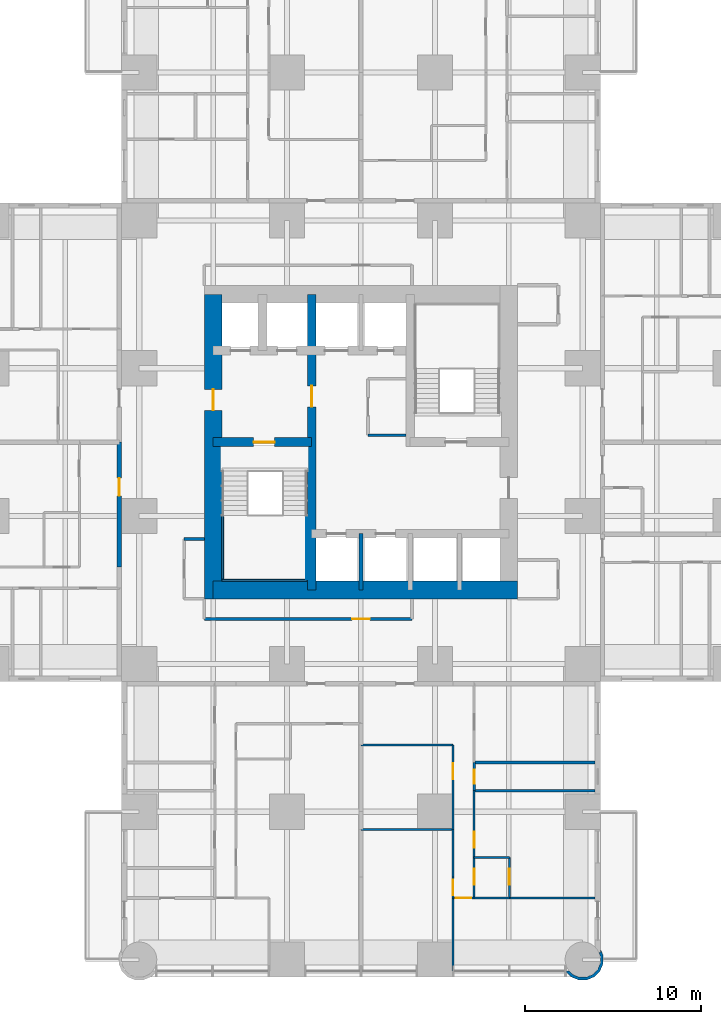
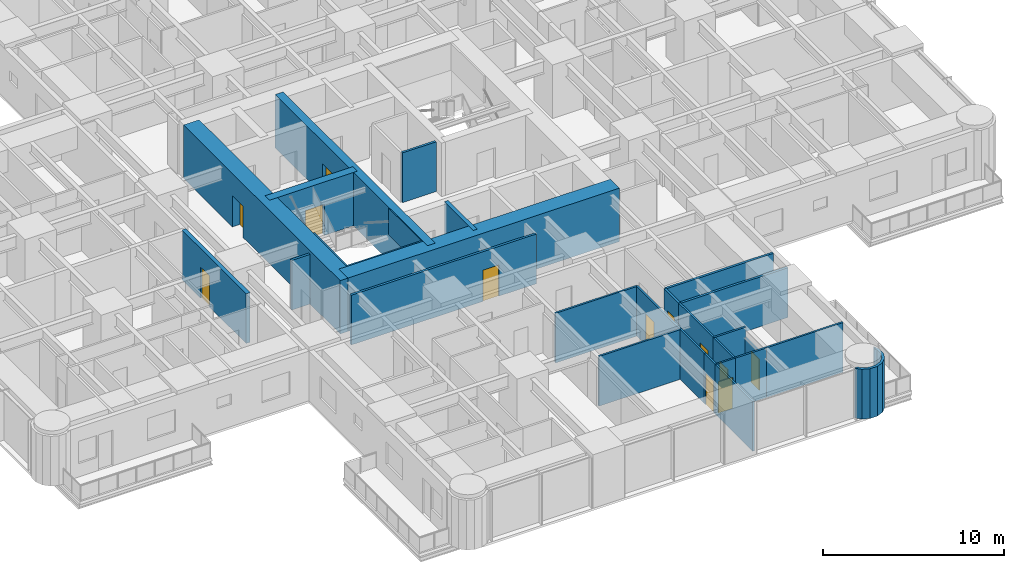
# One storey, part 9 of 17: 29 walls, 12 doors, 12 openings.
"""IFC4 building model written with IfcOpenShell, lengths in metres."""

from ifc_helpers import new_model, si_unit, direction, frame, frame_2d, origin, place, context, subcontext, project, spatial, polyline, rectangle, outline, extrude, material, layer, layer_set, type_object, element, fill, save


model = new_model("IFC4")

# Units and contexts
model_context = context("Model", 3, precision=1e-05, world=origin(), true_north=direction((0.0, 1.0)))
body_context = subcontext(model_context, "Body", "Model", "MODEL_VIEW")
ifc_project = project(units=[si_unit("LENGTHUNIT", "METRE"), si_unit("AREAUNIT", "SQUARE_METRE"), si_unit("VOLUMEUNIT", "CUBIC_METRE"), si_unit("PLANEANGLEUNIT", "RADIAN"), si_unit("MASSUNIT", "GRAM", prefix="KILO")], contexts=[model_context])

# Site, building, storey
site_placement = place(None, origin())
site = spatial("IfcSite", under=ifc_project, at=site_placement, CompositionType="ELEMENT")
building_placement = place(site_placement, origin())
building = spatial("IfcBuilding", under=site, at=building_placement, Name="Torre Alcanfor", CompositionType="ELEMENT")
storey_placement = place(building_placement, frame((0.0, 0.0, 99.300048828125)))
storey = spatial("IfcBuildingStorey", under=building, at=storey_placement, Name="L25", CompositionType="ELEMENT", Elevation=99.300048828125)

# Wall, opening, door
ifc_material_1 = material(Name="Concrete block masonry, hollow blocks NMX-C-404 9 MPa", Category="masonry")
ifc_layer_1 = layer(ifc_material_1, 0.25)
ifc_layer_set_1 = layer_set([ifc_layer_1], Name="Apartment entrance wall 250 EI 60")
wall_type_1 = type_object("IfcWallType", Name="Apartment entrance wall 250 EI 60", PredefinedType="PARTITIONING", material=ifc_layer_set_1)
wall_1_placement = place(storey_placement, frame((15.675048828125, 22.300048828125, 0.0), z_axis=(0.0, 0.0, 1.0), x_axis=(0.0, 1.0, 0.0)))
wall_1 = element("IfcWall", 1, at=wall_1_placement, inside=storey, type_object=wall_type_1, Name="Partition L25-CORR / L25-W1-ZAG", PredefinedType="PARTITIONING", context=body_context, shape_type="SweptSolid", body=[
    extrude(rectangle(XDim=7.099853515625, YDim=0.25, at=frame_2d((3.5498046875, 0.0))), origin(), (0.0, 0.0, 1.0), 3.349853515625),
])
opening_1_placement = place(wall_1_placement, frame((4.050048828125, 0.0, 0.0)))
opening_1 = element("IfcOpeningElement", 2, at=opening_1_placement, cuts=wall_1, Name="Opening D-A1", PredefinedType="OPENING", context=body_context, shape_type="SweptSolid", body=[
    extrude(rectangle(XDim=1.0, YDim=2.10009765625, at=frame_2d((0.5, 1.050048828125))), frame((0.0, 0.135009765625, 0.0), z_axis=(0.0, -1.0, 0.0), x_axis=(1.0, 0.0, 0.0)), (0.0, 0.0, 1.0), 0.27001953125),
])
ifc_material_2 = material(Name="Galvanised steel sheet ASTM A653", Category="steel")
door_type_1 = type_object("IfcDoorType", Name="Apartment entrance door FD60 1000x2100", OperationType="SINGLE_SWING_LEFT", PredefinedType="DOOR", material=ifc_material_2)
door_1_placement = place(opening_1_placement, origin())
door_1 = element("IfcDoor", 3, at=door_1_placement, inside=storey, type_object=door_type_1, Name="Apartment entrance L25-W1", OperationType="SINGLE_SWING_RIGHT", OverallHeight=2.10009765625, OverallWidth=1.0, PredefinedType="DOOR", context=body_context, shape_type="SweptSolid", body=[
    extrude(rectangle(XDim=1.0, YDim=2.10009765625, at=frame_2d((0.5, 1.050048828125))), frame((0.0, 0.02490234375, 0.0), z_axis=(0.0, -1.0, 0.0), x_axis=(1.0, 0.0, 0.0)), (0.0, 0.0, 1.0), 0.050048828125),
])
fill(opening_1, door_1)

# Walls
ifc_material_3 = material(Name="Gypsum board on steel studs", Category="steel")
ifc_layer_2 = layer(ifc_material_3, 0.1201171875)
ifc_layer_set_2 = layer_set([ifc_layer_2], Name="Apartment partition 120")
wall_type_2 = type_object("IfcWallType", Name="Apartment partition 120", PredefinedType="PARTITIONING", material=ifc_layer_set_2)
for number, where, z_axis, x_axis, name in (
    (4, (29.39990234375, 12.199951171875, 0.0), (0.0, 0.0, 1.0), (1.0, 0.0, 0.0), "Partition L25-S1-ZAG / L25-S1-FAMILY"),
    (5, (29.39990234375, 7.39990234375, 0.0), (0.0, 0.0, 1.0), (1.0, 0.0, 0.0), "Partition L25-S1-FAMILY / L25-S1-KITCHEN"),
):
    element("IfcWall", number, at=place(storey_placement, frame(where, z_axis=z_axis, x_axis=x_axis)), inside=storey, type_object=wall_type_2, Name=name, PredefinedType="PARTITIONING", context=body_context, shape_type="SweptSolid", body=[
        extrude(rectangle(XDim=5.22900390625, YDim=0.1201171875, at=frame_2d((2.614501953125, 0.0))), origin(), (0.0, 0.0, 1.0), 3.349853515625),
    ])

# Wall, opening, door
wall_2_placement = place(storey_placement, frame((34.62890625, 7.39990234375, 0.0), z_axis=(0.0, 0.0, 1.0), x_axis=(0.0, 1.0, 0.0)))
wall_2 = element("IfcWall", 6, at=wall_2_placement, inside=storey, type_object=wall_type_2, Name="Partition L25-S1-FAMILY / L25-S1-HALL", PredefinedType="PARTITIONING", context=body_context, shape_type="SweptSolid", body=[
    extrude(rectangle(XDim=4.800048828125, YDim=0.1201171875, at=frame_2d((2.39990234375, 0.0))), origin(), (0.0, 0.0, 1.0), 3.349853515625),
])
opening_2_placement = place(wall_2_placement, frame((2.85009765625, 0.0, 0.0)))
opening_2 = element("IfcOpeningElement", 7, at=opening_2_placement, cuts=wall_2, Name="Opening D-R1", PredefinedType="OPENING", context=body_context, shape_type="SweptSolid", body=[
    extrude(rectangle(XDim=0.89990234375, YDim=2.10009765625, at=frame_2d((0.449951171875, 1.050048828125))), frame((0.0, 0.070068359375, 0.0), z_axis=(0.0, -1.0, 0.0), x_axis=(1.0, 0.0, 0.0)), (0.0, 0.0, 1.0), 0.14013671875),
])
ifc_material_4 = material(Name="Timber", Category="wood")
door_type_2 = type_object("IfcDoorType", Name="Internal door 900x2100", OperationType="SINGLE_SWING_LEFT", PredefinedType="DOOR", material=ifc_material_4)
door_2_placement = place(opening_2_placement, origin())
door_2 = element("IfcDoor", 8, at=door_2_placement, inside=storey, type_object=door_type_2, Name="Door L25-S1 family", OperationType="SINGLE_SWING_RIGHT", OverallHeight=2.10009765625, OverallWidth=0.89990234375, PredefinedType="DOOR", context=body_context, shape_type="SweptSolid", body=[
    extrude(rectangle(XDim=0.89990234375, YDim=2.10009765625, at=frame_2d((0.449951171875, 1.050048828125))), frame((0.0, 0.02490234375, 0.0), z_axis=(0.0, -1.0, 0.0), x_axis=(1.0, 0.0, 0.0)), (0.0, 0.0, 1.0), 0.050048828125),
])
fill(opening_2, door_2)

# Wall
wall_3_placement = place(storey_placement, frame((34.62890625, 4.699951171875, 0.0), z_axis=(0.0, 0.0, 1.0), x_axis=(0.0, 1.0, 0.0)))
element("IfcWall", 9, at=wall_3_placement, inside=storey, type_object=wall_type_2, Name="Partition L25-S1-KITCHEN / L25-S1-HALL", PredefinedType="PARTITIONING", context=body_context, shape_type="SweptSolid", body=[
    extrude(rectangle(XDim=2.699951171875, YDim=0.1201171875, at=frame_2d((1.35009765625, 0.0))), origin(), (0.0, 0.0, 1.0), 3.349853515625),
])

# Wall, opening, door
wall_4_placement = place(storey_placement, frame((34.62890625, 3.5, 0.0), z_axis=(0.0, 0.0, 1.0), x_axis=(0.0, 1.0, 0.0)))
wall_4 = element("IfcWall", 10, at=wall_4_placement, inside=storey, type_object=wall_type_2, Name="Partition L25-S1-LIVING / L25-S1-HALL", PredefinedType="PARTITIONING", context=body_context, shape_type="SweptSolid", body=[
    extrude(rectangle(XDim=1.199951171875, YDim=0.1201171875, at=frame_2d((0.60009765625, 0.0))), origin(), (0.0, 0.0, 1.0), 3.349853515625),
])
opening_3_placement = place(wall_4_placement, frame((0.14990234375, 0.0, 0.0)))
opening_3 = element("IfcOpeningElement", 11, at=opening_3_placement, cuts=wall_4, Name="Opening D-R1", PredefinedType="OPENING", context=body_context, shape_type="SweptSolid", body=[
    extrude(rectangle(XDim=0.89990234375, YDim=2.10009765625, at=frame_2d((0.449951171875, 1.050048828125))), frame((0.0, 0.070068359375, 0.0), z_axis=(0.0, -1.0, 0.0), x_axis=(1.0, 0.0, 0.0)), (0.0, 0.0, 1.0), 0.14013671875),
])
door_3_placement = place(opening_3_placement, origin())
door_3 = element("IfcDoor", 12, at=door_3_placement, inside=storey, type_object=door_type_2, Name="Door L25-S1 living", OperationType="SINGLE_SWING_RIGHT", OverallHeight=2.10009765625, OverallWidth=0.89990234375, PredefinedType="DOOR", context=body_context, shape_type="SweptSolid", body=[
    extrude(rectangle(XDim=0.89990234375, YDim=2.10009765625, at=frame_2d((0.449951171875, 1.050048828125))), frame((0.0, 0.02490234375, 0.0), z_axis=(0.0, -1.0, 0.0), x_axis=(1.0, 0.0, 0.0)), (0.0, 0.0, 1.0), 0.050048828125),
])
fill(opening_3, door_3)

# Wall
wall_5_placement = place(storey_placement, frame((34.62890625, -0.64990234375, 0.0), z_axis=(0.0, 0.0, 1.0), x_axis=(0.0, 1.0, 0.0)))
element("IfcWall", 13, at=wall_5_placement, inside=storey, type_object=wall_type_2, Name="Partition L25-S1-LIVING / L25-S1-WGARD", PredefinedType="PARTITIONING", context=body_context, shape_type="SweptSolid", body=[
    extrude(rectangle(XDim=4.14990234375, YDim=0.1201171875, at=frame_2d((2.074951171875, 0.0))), origin(), (0.0, 0.0, 1.0), 3.349853515625),
])

# Wall, opening, door
wall_6_placement = place(storey_placement, frame((35.8291015625, 5.800048828125, 0.0), z_axis=(0.0, 0.0, 1.0), x_axis=(0.0, 1.0, 0.0)))
wall_6 = element("IfcWall", 14, at=wall_6_placement, inside=storey, type_object=wall_type_2, Name="Partition L25-S1-HALL / L25-S1-MASTER", PredefinedType="PARTITIONING", context=body_context, shape_type="SweptSolid", body=[
    extrude(rectangle(XDim=3.800048828125, YDim=0.1201171875, at=frame_2d((1.89990234375, 0.0))), origin(), (0.0, 0.0, 1.0), 3.349853515625),
])
opening_4_placement = place(wall_6_placement, frame((0.550048828125, 0.0, 0.0)))
opening_4 = element("IfcOpeningElement", 15, at=opening_4_placement, cuts=wall_6, Name="Opening D-R1", PredefinedType="OPENING", context=body_context, shape_type="SweptSolid", body=[
    extrude(rectangle(XDim=0.89990234375, YDim=2.10009765625, at=frame_2d((0.449951171875, 1.050048828125))), frame((0.0, 0.070068359375, 0.0), z_axis=(0.0, -1.0, 0.0), x_axis=(1.0, 0.0, 0.0)), (0.0, 0.0, 1.0), 0.14013671875),
])
door_4_placement = place(opening_4_placement, frame((0.89990234375, 0.0, 0.0), z_axis=(0.0, 0.0, 1.0), x_axis=(-1.0, 0.0, 0.0)))
door_4 = element("IfcDoor", 16, at=door_4_placement, inside=storey, type_object=door_type_2, Name="Door L25-S1 master", OperationType="SINGLE_SWING_RIGHT", OverallHeight=2.10009765625, OverallWidth=0.89990234375, PredefinedType="DOOR", context=body_context, shape_type="SweptSolid", body=[
    extrude(rectangle(XDim=0.89990234375, YDim=2.10009765625, at=frame_2d((0.449951171875, 1.050048828125))), frame((0.0, 0.025146484375, 0.0), z_axis=(0.0, -1.0, 0.0), x_axis=(1.0, 0.0, 0.0)), (0.0, 0.0, 1.0), 0.050048828125),
])
fill(opening_4, door_4)

wall_7_placement = place(storey_placement, frame((35.8291015625, 3.5, 0.0), z_axis=(0.0, 0.0, 1.0), x_axis=(0.0, 1.0, 0.0)))
wall_7 = element("IfcWall", 17, at=wall_7_placement, inside=storey, type_object=wall_type_2, Name="Partition L25-S1-HALL / L25-S1-VEST", PredefinedType="PARTITIONING", context=body_context, shape_type="SweptSolid", body=[
    extrude(rectangle(XDim=2.300048828125, YDim=0.1201171875, at=frame_2d((1.14990234375, 0.0))), origin(), (0.0, 0.0, 1.0), 3.349853515625),
])
opening_5_placement = place(wall_7_placement, frame((0.75, 0.0, 0.0)))
opening_5 = element("IfcOpeningElement", 18, at=opening_5_placement, cuts=wall_7, Name="Opening D-R1", PredefinedType="OPENING", context=body_context, shape_type="SweptSolid", body=[
    extrude(rectangle(XDim=0.89990234375, YDim=2.10009765625, at=frame_2d((0.449951171875, 1.050048828125))), frame((0.0, 0.070068359375, 0.0), z_axis=(0.0, -1.0, 0.0), x_axis=(1.0, 0.0, 0.0)), (0.0, 0.0, 1.0), 0.14013671875),
])
door_5_placement = place(opening_5_placement, frame((0.89990234375, 0.0, 0.0), z_axis=(0.0, 0.0, 1.0), x_axis=(-1.0, 0.0, 0.0)))
door_5 = element("IfcDoor", 19, at=door_5_placement, inside=storey, type_object=door_type_2, Name="Door L25-S1 vest", OperationType="SINGLE_SWING_LEFT", OverallHeight=2.10009765625, OverallWidth=0.89990234375, PredefinedType="DOOR", context=body_context, shape_type="SweptSolid", body=[
    extrude(rectangle(XDim=0.89990234375, YDim=2.10009765625, at=frame_2d((0.449951171875, 1.050048828125))), frame((0.0, 0.025146484375, 0.0), z_axis=(0.0, -1.0, 0.0), x_axis=(1.0, 0.0, 0.0)), (0.0, 0.0, 1.0), 0.050048828125),
])
fill(opening_5, door_5)

wall_8_placement = place(storey_placement, frame((34.62890625, 3.5, 0.0), z_axis=(0.0, 0.0, 1.0), x_axis=(1.0, 0.0, 0.0)))
wall_8 = element("IfcWall", 20, at=wall_8_placement, inside=storey, type_object=wall_type_2, Name="Partition L25-S1-HALL / L25-S1-WGARD", PredefinedType="PARTITIONING", context=body_context, shape_type="SweptSolid", body=[
    extrude(rectangle(XDim=1.2001953125, YDim=0.1201171875, at=frame_2d((0.60009765625, 0.0))), origin(), (0.0, 0.0, 1.0), 3.349853515625),
])
opening_6_placement = place(wall_8_placement, frame((0.15087890625, 0.0, 0.0)))
opening_6 = element("IfcOpeningElement", 21, at=opening_6_placement, cuts=wall_8, Name="Opening D-R1", PredefinedType="OPENING", context=body_context, shape_type="SweptSolid", body=[
    extrude(rectangle(XDim=0.89990234375, YDim=2.10009765625, at=frame_2d((0.449951171875, 1.050048828125))), frame((0.0, 0.070068359375, 0.0), z_axis=(0.0, -1.0, 0.0), x_axis=(1.0, 0.0, 0.0)), (0.0, 0.0, 1.0), 0.14013671875),
])
door_6_placement = place(opening_6_placement, frame((0.89990234375, 0.0, 0.0), z_axis=(0.0, 0.0, 1.0), x_axis=(-1.0, 0.0, 0.0)))
door_6 = element("IfcDoor", 22, at=door_6_placement, inside=storey, type_object=door_type_2, Name="Door L25-S1 wgard", OperationType="SINGLE_SWING_RIGHT", OverallHeight=2.10009765625, OverallWidth=0.89990234375, PredefinedType="DOOR", context=body_context, shape_type="SweptSolid", body=[
    extrude(rectangle(XDim=0.89990234375, YDim=2.10009765625, at=frame_2d((0.449951171875, 1.050048828125))), frame((0.0, 0.025146484375, 0.0), z_axis=(0.0, -1.0, 0.0), x_axis=(1.0, 0.0, 0.0)), (0.0, 0.0, 1.0), 0.050048828125),
])
fill(opening_6, door_6)

wall_9_placement = place(storey_placement, frame((37.8291015625, 3.5, 0.0), z_axis=(0.0, 0.0, 1.0), x_axis=(0.0, 1.0, 0.0)))
wall_9 = element("IfcWall", 23, at=wall_9_placement, inside=storey, type_object=wall_type_2, Name="Partition L25-S1-MASTER / L25-S1-VEST", PredefinedType="PARTITIONING", context=body_context, shape_type="SweptSolid", body=[
    extrude(rectangle(XDim=2.300048828125, YDim=0.1201171875, at=frame_2d((1.14990234375, 0.0))), origin(), (0.0, 0.0, 1.0), 2.666748046875),
])
opening_7_placement = place(wall_9_placement, frame((0.75, 0.0, 0.0)))
opening_7 = element("IfcOpeningElement", 24, at=opening_7_placement, cuts=wall_9, Name="Opening D-R1", PredefinedType="OPENING", context=body_context, shape_type="SweptSolid", body=[
    extrude(rectangle(XDim=0.89990234375, YDim=2.10009765625, at=frame_2d((0.449951171875, 1.050048828125))), frame((0.0, 0.070068359375, 0.0), z_axis=(0.0, -1.0, 0.0), x_axis=(1.0, 0.0, 0.0)), (0.0, 0.0, 1.0), 0.14013671875),
])
door_7_placement = place(opening_7_placement, origin())
door_7 = element("IfcDoor", 25, at=door_7_placement, inside=storey, type_object=door_type_2, Name="Door L25-S1 master", OperationType="SINGLE_SWING_RIGHT", OverallHeight=2.10009765625, OverallWidth=0.89990234375, PredefinedType="DOOR", context=body_context, shape_type="SweptSolid", body=[
    extrude(rectangle(XDim=0.89990234375, YDim=2.10009765625, at=frame_2d((0.449951171875, 1.050048828125))), frame((0.0, 0.02490234375, 0.0), z_axis=(0.0, -1.0, 0.0), x_axis=(1.0, 0.0, 0.0)), (0.0, 0.0, 1.0), 0.050048828125),
])
fill(opening_7, door_7)

# Walls
wall_10_placement = place(storey_placement, frame((37.8291015625, 5.800048828125, 0.0), z_axis=(0.0, 0.0, 1.0), x_axis=(-1.0, 0.0, 0.0)))
element("IfcWall", 26, at=wall_10_placement, inside=storey, type_object=wall_type_2, Name="Partition L25-S1-MASTER / L25-S1-VEST", PredefinedType="PARTITIONING", context=body_context, shape_type="SweptSolid", body=[
    extrude(rectangle(XDim=2.0, YDim=0.1201171875, at=frame_2d((1.0, 0.0))), origin(), (0.0, 0.0, 1.0), 3.349853515625),
])
wall_11_placement = place(storey_placement, frame((42.699951171875, 3.5, 0.0), z_axis=(0.0, 0.0, 1.0), x_axis=(-1.0, 0.0, 0.0)))
element("IfcWall", 27, at=wall_11_placement, inside=storey, type_object=wall_type_2, Name="Partition L25-S1-MASTER / L25-S1-WGARD", PredefinedType="PARTITIONING", context=body_context, shape_type="SweptSolid", body=[
    extrude(rectangle(XDim=4.870849609375, YDim=0.1201171875, at=frame_2d((2.435546875, 0.0))), origin(), (0.0, 0.0, 1.0), 3.349853515625),
])
wall_12_placement = place(storey_placement, frame((35.8291015625, 3.5, 0.0), z_axis=(0.0, 0.0, 1.0), x_axis=(1.0, 0.0, 0.0)))
element("IfcWall", 28, at=wall_12_placement, inside=storey, type_object=wall_type_2, Name="Partition L25-S1-VEST / L25-S1-WGARD", PredefinedType="PARTITIONING", context=body_context, shape_type="SweptSolid", body=[
    extrude(rectangle(XDim=2.0, YDim=0.1201171875, at=frame_2d((1.0, 0.0))), origin(), (0.0, 0.0, 1.0), 3.349853515625),
])

# Wall, opening, door
ifc_material_5 = material(Name="Concrete f'c 70 MPa", Category="concrete")
ifc_layer_3 = layer(ifc_material_5, 0.5)
ifc_layer_set_3 = layer_set([ifc_layer_3], Name="Core inner wall 500 f'c70")
wall_type_3 = type_object("IfcWallType", Name="Core inner wall 500 f'c70", PredefinedType="SHEAR", material=ifc_layer_set_3)
wall_13_placement = place(storey_placement, frame((26.60009765625, 21.0, 0.0), z_axis=(0.0, 0.0, 1.0), x_axis=(0.0, 1.0, 0.0)))
wall_13 = element("IfcWall", 29, at=wall_13_placement, inside=storey, type_object=wall_type_3, Name="Core wall X266 L25", PredefinedType="SHEAR", context=body_context, shape_type="SweptSolid", body=[
    extrude(rectangle(XDim=16.800048828125, YDim=0.5, at=frame_2d((8.39990234375, 0.0))), origin(), (0.0, 0.0, 1.0), 3.599853515625),
])
opening_8_placement = place(wall_13_placement, frame((10.39990234375, 0.0, 0.0)))
opening_8 = element("IfcOpeningElement", 30, at=opening_8_placement, cuts=wall_13, Name="Opening D-L1", PredefinedType="OPENING", context=body_context, shape_type="SweptSolid", body=[
    extrude(rectangle(XDim=1.199951171875, YDim=2.10009765625, at=frame_2d((0.60009765625, 1.050048828125))), frame((0.0, 0.260009765625, 0.0), z_axis=(0.0, -1.0, 0.0), x_axis=(1.0, 0.0, 0.0)), (0.0, 0.0, 1.0), 0.52001953125),
])
ifc_material_6 = material(Name="Galvanised steel sheet ASTM A653", Category="steel")
door_type_3 = type_object("IfcDoorType", Name="Lobby door FD120 1200x2100", OperationType="SINGLE_SWING_LEFT", PredefinedType="DOOR", material=ifc_material_6)
door_8_placement = place(opening_8_placement, origin())
door_8 = element("IfcDoor", 31, at=door_8_placement, inside=storey, type_object=door_type_3, Name="Lift lobby door L25", OperationType="SINGLE_SWING_LEFT", OverallHeight=2.10009765625, OverallWidth=1.199951171875, PredefinedType="DOOR", context=body_context, shape_type="SweptSolid", body=[
    extrude(rectangle(XDim=1.199951171875, YDim=2.10009765625, at=frame_2d((0.60009765625, 1.050048828125))), frame((0.0, 0.02490234375, 0.0), z_axis=(0.0, -1.0, 0.0), x_axis=(1.0, 0.0, 0.0)), (0.0, 0.0, 1.0), 0.050048828125),
])
fill(opening_8, door_8)

wall_14_placement = place(storey_placement, frame((21.0, 29.39990234375, 0.0), z_axis=(0.0, 0.0, 1.0), x_axis=(1.0, 0.0, 0.0)))
wall_14 = element("IfcWall", 32, at=wall_14_placement, inside=storey, type_object=wall_type_3, Name="Core wall Y294W L25", PredefinedType="SHEAR", context=body_context, shape_type="SweptSolid", body=[
    extrude(rectangle(XDim=5.60009765625, YDim=0.5, at=frame_2d((2.800048828125, 0.0))), origin(), (0.0, 0.0, 1.0), 3.599853515625),
])
opening_9_placement = place(wall_14_placement, frame((2.300048828125, 0.0, 0.0)))
opening_9 = element("IfcOpeningElement", 33, at=opening_9_placement, cuts=wall_14, Name="Opening D-S2", PredefinedType="OPENING", context=body_context, shape_type="SweptSolid", body=[
    extrude(rectangle(XDim=1.199951171875, YDim=2.10009765625, at=frame_2d((0.60009765625, 1.050048828125))), frame((0.0, 0.260009765625, 0.0), z_axis=(0.0, -1.0, 0.0), x_axis=(1.0, 0.0, 0.0)), (0.0, 0.0, 1.0), 0.52001953125),
])
ifc_material_7 = material(Name="Galvanised steel sheet ASTM A653", Category="steel")
door_type_4 = type_object("IfcDoorType", Name="Stair enclosure door FD120 1200x2100", OperationType="SINGLE_SWING_LEFT", PredefinedType="DOOR", material=ifc_material_7)
door_9_placement = place(opening_9_placement, frame((1.199951171875, 0.0, 0.0), z_axis=(0.0, 0.0, 1.0), x_axis=(-1.0, 0.0, 0.0)))
door_9 = element("IfcDoor", 34, at=door_9_placement, inside=storey, type_object=door_type_4, Name="Stair S1 door L25", OperationType="SINGLE_SWING_LEFT", OverallHeight=2.10009765625, OverallWidth=1.199951171875, PredefinedType="DOOR", context=body_context, shape_type="SweptSolid", body=[
    extrude(rectangle(XDim=1.199951171875, YDim=2.10009765625, at=frame_2d((0.599853515625, 1.050048828125))), frame((0.0, 0.025146484375, 0.0), z_axis=(0.0, -1.0, 0.0), x_axis=(1.0, 0.0, 0.0)), (0.0, 0.0, 1.0), 0.050048828125),
])
fill(opening_9, door_9)

# Walls
ifc_material_8 = material(Name="Concrete f'c 70 MPa", Category="concrete")
ifc_layer_4 = layer(ifc_material_8, 0.25)
ifc_layer_set_4 = layer_set([ifc_layer_4], Name="Core shaft wall 250 f'c70")
wall_type_4 = type_object("IfcWallType", Name="Core shaft wall 250 f'c70", PredefinedType="SHEAR", material=ifc_layer_set_4)
wall_15_placement = place(storey_placement, frame((29.39990234375, 21.0, 0.0), z_axis=(0.0, 0.0, 1.0), x_axis=(0.0, 1.0, 0.0)))
element("IfcWall", 35, at=wall_15_placement, inside=storey, type_object=wall_type_4, Name="Core wall X294S L25", PredefinedType="SHEAR", context=body_context, shape_type="SweptSolid", body=[
    extrude(rectangle(XDim=3.199951171875, YDim=0.25, at=frame_2d((1.60009765625, 0.0))), origin(), (0.0, 0.0, 1.0), 3.599853515625),
])
ifc_material_9 = material(Name="Concrete f'c 70 MPa", Category="concrete")
ifc_layer_5 = layer(ifc_material_9, 1.0)
ifc_layer_set_5 = layer_set([ifc_layer_5], Name="Core wall 1000 f'c70")
wall_type_5 = type_object("IfcWallType", Name="Core wall 1000 f'c70", PredefinedType="SHEAR", material=ifc_layer_set_5)
wall_16_placement = place(storey_placement, frame((21.0, 21.0, 0.0), z_axis=(0.0, 0.0, 1.0), x_axis=(1.0, 0.0, 0.0)))
element("IfcWall", 36, at=wall_16_placement, inside=storey, type_object=wall_type_5, Name="Core wall OUT-S L25", PredefinedType="SHEAR", context=body_context, shape_type="SweptSolid", body=[
    extrude(rectangle(XDim=17.300048828125, YDim=1.0, at=frame_2d((8.64990234375, 0.0))), origin(), (0.0, 0.0, 1.0), 3.599853515625),
])

# Wall, opening, door
wall_17_placement = place(storey_placement, frame((21.0, 37.800048828125, 0.0), z_axis=(0.0, 0.0, 1.0), x_axis=(0.0, -1.0, 0.0)))
wall_17 = element("IfcWall", 37, at=wall_17_placement, inside=storey, type_object=wall_type_5, Name="Core wall OUT-W L25", PredefinedType="SHEAR", context=body_context, shape_type="SweptSolid", body=[
    extrude(rectangle(XDim=17.300048828125, YDim=1.0, at=frame_2d((8.64990234375, 0.0))), origin(), (0.0, 0.0, 1.0), 3.599853515625),
])
opening_10_placement = place(wall_17_placement, frame((5.39990234375, 0.0, 0.0)))
opening_10 = element("IfcOpeningElement", 38, at=opening_10_placement, cuts=wall_17, Name="Opening D-L1", PredefinedType="OPENING", context=body_context, shape_type="SweptSolid", body=[
    extrude(rectangle(XDim=1.199951171875, YDim=2.10009765625, at=frame_2d((0.60009765625, 1.050048828125))), frame((0.0, 0.510009765625, 0.0), z_axis=(0.0, -1.0, 0.0), x_axis=(1.0, 0.0, 0.0)), (0.0, 0.0, 1.0), 1.02001953125),
])
door_10_placement = place(opening_10_placement, origin())
door_10 = element("IfcDoor", 39, at=door_10_placement, inside=storey, type_object=door_type_3, Name="Firefighting lobby door L25", OperationType="SINGLE_SWING_LEFT", OverallHeight=2.10009765625, OverallWidth=1.199951171875, PredefinedType="DOOR", context=body_context, shape_type="SweptSolid", body=[
    extrude(rectangle(XDim=1.199951171875, YDim=2.10009765625, at=frame_2d((0.60009765625, 1.050048828125))), frame((0.0, 0.02490234375, 0.0), z_axis=(0.0, -1.0, 0.0), x_axis=(1.0, 0.0, 0.0)), (0.0, 0.0, 1.0), 0.050048828125),
])
fill(opening_10, door_10)

ifc_material_10 = material(Name="Concrete block masonry, hollow blocks NMX-C-404 9 MPa", Category="masonry")
ifc_layer_6 = layer(ifc_material_10, 0.14990234375)
ifc_layer_set_6 = layer_set([ifc_layer_6], Name="Residents' room partition 150")
wall_type_6 = type_object("IfcWallType", Name="Residents' room partition 150", PredefinedType="PARTITIONING", material=ifc_layer_set_6)
wall_18_placement = place(storey_placement, frame((20.5, 19.35009765625, 0.0), z_axis=(0.0, 0.0, 1.0), x_axis=(1.0, 0.0, 0.0)))
wall_18 = element("IfcWall", 40, at=wall_18_placement, inside=storey, type_object=wall_type_6, Name="Partition L25-CORR / L25-G04", PredefinedType="PARTITIONING", context=body_context, shape_type="SweptSolid", body=[
    extrude(rectangle(XDim=11.800048828125, YDim=0.14990234375, at=frame_2d((5.89990234375, 0.0))), origin(), (0.0, 0.0, 1.0), 3.349853515625),
])
opening_11_placement = place(wall_18_placement, frame((8.39990234375, 0.0, 0.0)))
opening_11 = element("IfcOpeningElement", 41, at=opening_11_placement, cuts=wall_18, Name="Opening D-M1", PredefinedType="OPENING", context=body_context, shape_type="SweptSolid", body=[
    extrude(rectangle(XDim=1.0, YDim=2.10009765625, at=frame_2d((0.5, 1.050048828125))), frame((0.0, 0.0849609375, 0.0), z_axis=(0.0, -1.0, 0.0), x_axis=(1.0, 0.0, 0.0)), (0.0, 0.0, 1.0), 0.169921875),
])
ifc_material_11 = material(Name="Timber", Category="wood")
door_type_5 = type_object("IfcDoorType", Name="Residents' room door 1000x2100", OperationType="SINGLE_SWING_LEFT", PredefinedType="DOOR", material=ifc_material_11)
door_11_placement = place(opening_11_placement, origin())
door_11 = element("IfcDoor", 42, at=door_11_placement, inside=storey, type_object=door_type_5, Name="Door L25-G04 bicycle store", OperationType="SINGLE_SWING_RIGHT", OverallHeight=2.10009765625, OverallWidth=1.0, PredefinedType="DOOR", context=body_context, shape_type="SweptSolid", body=[
    extrude(rectangle(XDim=1.0, YDim=2.10009765625, at=frame_2d((0.5, 1.050048828125))), frame((0.0, 0.02490234375, 0.0), z_axis=(0.0, -1.0, 0.0), x_axis=(1.0, 0.0, 0.0)), (0.0, 0.0, 1.0), 0.050048828125),
])
fill(opening_11, door_11)

# Walls
wall_19_placement = place(storey_placement, frame((20.5, 23.89990234375, 0.0), z_axis=(0.0, 0.0, 1.0), x_axis=(-1.0, 0.0, 0.0)))
element("IfcWall", 43, at=wall_19_placement, inside=storey, type_object=wall_type_6, Name="Partition L25-CORR / L25-G05", PredefinedType="PARTITIONING", context=body_context, shape_type="SweptSolid", body=[
    extrude(rectangle(XDim=1.14990234375, YDim=0.14990234375, at=frame_2d((0.574951171875, 0.0))), origin(), (0.0, 0.0, 1.0), 3.349853515625),
])
wall_20_placement = place(storey_placement, frame((31.949951171875, 29.800048828125, 0.0), z_axis=(0.0, 0.0, 1.0), x_axis=(-1.0, 0.0, 0.0)))
element("IfcWall", 44, at=wall_20_placement, inside=storey, type_object=wall_type_6, Name="Partition L25-LL / L25-CR1", PredefinedType="PARTITIONING", context=body_context, shape_type="SweptSolid", body=[
    extrude(rectangle(XDim=2.14990234375, YDim=0.14990234375, at=frame_2d((1.074951171875, 0.0))), origin(), (0.0, 0.0, 1.0), 3.349853515625),
])
ifc_material_12 = material(Name="Limestone cladding", Category="masonry")
ifc_layer_7 = layer(ifc_material_12, 0.0400390625, Name="Facing")
ifc_material_13 = material(Name="Ventilated air cavity")
ifc_layer_8 = layer(ifc_material_13, 0.02001953125, ventilated=True, Name="Ventilated joint")
ifc_material_14 = material(Name="Mineral wool insulation", Category="insulation")
ifc_layer_9 = layer(ifc_material_14, 0.10009765625, Name="Insulation")
ifc_material_15 = material(Name="Concrete f'c 35 MPa", Category="concrete")
ifc_layer_10 = layer(ifc_material_15, 0.139892578125, Name="Backing")
ifc_layer_set_7 = layer_set([ifc_layer_7, ifc_layer_8, ifc_layer_9, ifc_layer_10], Name="Rounded corner pier stone-clad 300")
wall_type_7 = type_object("IfcWallType", Name="Rounded corner pier stone-clad 300", PredefinedType="SOLIDWALL", material=ifc_layer_set_7)
wall_21_placement = place(storey_placement, frame((41.132476465, -0.643275148, 0.0), z_axis=(0.0, 0.0, 1.0), x_axis=(0.555974394895, -0.831199417842, 0.0)))
element("IfcWall", 45, at=wall_21_placement, inside=storey, type_object=wall_type_7, Name="Corner pier L25 16", PredefinedType="SOLIDWALL", context=body_context, shape_type="SweptSolid", body=[
    extrude(outline(polyline([(0.1712067434741278, 2.1322644498423946), (0.11334706153538965, 2.066401120693992), (0.3385577735146673, 2.0215012284234515), (0.6697387915612579, 1.799980180457634), (0.890651462668792, 1.4689338241478345), (0.9681928875911037, 1.0781138583522962), (0.8904026039051673, 0.6878027388003138), (0.6688815559393502, 0.35662172075372317), (0.33783519962955044, 0.13570904964618913), (0.062161497586597114, 0.08101345182403863), (-0.035839848388476404, -0.06550167993431824), (0.004543131140488994, -0.09251313124877757), (0.39976574819715555, -0.014098189407930367), (0.7834787541996076, 0.24207971489970526), (1.0400196737188443, 0.6256165556521908), (1.1302965571138393, 1.0780686237824806), (1.0404587017229114, 1.5308643727154396), (0.7842807974152758, 1.9145773787178917), (0.4007439566627903, 2.171118298237128), (-0.009197622361300395, 2.2529336971718132), (0.1712067434741278, 2.1322644498423946)])), origin(), (0.0, 0.0, 1.0), 3.349853515625),
])
ifc_material_16 = material(Name="Concrete block masonry, hollow blocks NMX-C-404 9 MPa", Category="masonry")
ifc_layer_11 = layer(ifc_material_16, 0.10009765625)
ifc_layer_set_8 = layer_set([ifc_layer_11], Name="Stair lining 100 EI 120")
wall_type_8 = type_object("IfcWallType", Name="Stair lining 100 EI 120", PredefinedType="PARTITIONING", material=ifc_layer_set_8)
wall_22_placement = place(storey_placement, frame((21.5, 21.550048828125, 1.800048828125), z_axis=(0.0, 0.0, 1.0), x_axis=(1.0, 0.0, 0.0)))
element("IfcWall", 46, at=wall_22_placement, inside=storey, type_object=wall_type_8, Name="Stair lining S1 L25 south end", PredefinedType="PARTITIONING", context=body_context, shape_type="SweptSolid", body=[
    extrude(rectangle(XDim=4.85009765625, YDim=0.10009765625, at=frame_2d((2.425048828125, 0.0))), origin(), (0.0, 0.0, 1.0), 1.7998046875),
])
wall_23_placement = place(storey_placement, frame((21.550048828125, 25.22998046875, 1.800048828125), z_axis=(0.0, 0.0, 1.0), x_axis=(0.0, -1.0, 0.0)))
element("IfcWall", 47, at=wall_23_placement, inside=storey, type_object=wall_type_8, Name="Stair lining S1 L25 west side", PredefinedType="PARTITIONING", context=body_context, shape_type="SweptSolid", body=[
    extrude(rectangle(XDim=3.6298828125, YDim=0.10009765625, at=frame_2d((1.81494140625, 0.0))), origin(), (0.0, 0.0, 1.0), 1.7998046875),
])
ifc_material_17 = material(Name="Calcium silicate board", Category="masonry")
ifc_layer_12 = layer(ifc_material_17, 0.050048828125)
ifc_layer_set_9 = layer_set([ifc_layer_12], Name="Stair lining 50 EI 120")
wall_type_9 = type_object("IfcWallType", Name="Stair lining 50 EI 120", PredefinedType="PARTITIONING", material=ifc_layer_set_9)
wall_24_placement = place(storey_placement, frame((26.324951171875, 25.22998046875, 1.800048828125), z_axis=(0.0, 0.0, 1.0), x_axis=(0.0, -1.0, 0.0)))
element("IfcWall", 48, at=wall_24_placement, inside=storey, type_object=wall_type_9, Name="Stair lining S1 L25 east side", PredefinedType="PARTITIONING", context=body_context, shape_type="SweptSolid", body=[
    extrude(rectangle(XDim=3.6298828125, YDim=0.050048828125, at=frame_2d((1.81494140625, 0.0))), origin(), (0.0, 0.0, 1.0), 1.7998046875),
])

# Wall, opening, door
ifc_material_18 = material(Name="Cement board on steel studs", Category="steel")
ifc_layer_13 = layer(ifc_material_18, 0.14990234375)
ifc_layer_set_10 = layer_set([ifc_layer_13], Name="Wet area partition 150")
wall_type_10 = type_object("IfcWallType", Name="Wet area partition 150", PredefinedType="PARTITIONING", material=ifc_layer_set_10)
wall_25_placement = place(storey_placement, frame((35.8291015625, 9.60009765625, 0.0), z_axis=(0.0, 0.0, 1.0), x_axis=(0.0, 1.0, 0.0)))
wall_25 = element("IfcWall", 49, at=wall_25_placement, inside=storey, type_object=wall_type_10, Name="Partition L25-S1-HALL / L25-S1-BATH1", PredefinedType="PARTITIONING", context=body_context, shape_type="SweptSolid", body=[
    extrude(rectangle(XDim=1.599853515625, YDim=0.14990234375, at=frame_2d((0.7998046875, 0.0))), origin(), (0.0, 0.0, 1.0), 3.349853515625),
])
opening_12_placement = place(wall_25_placement, frame((0.39990234375, 0.0, 0.0)))
opening_12 = element("IfcOpeningElement", 50, at=opening_12_placement, cuts=wall_25, Name="Opening D-R2", PredefinedType="OPENING", context=body_context, shape_type="SweptSolid", body=[
    extrude(rectangle(XDim=0.800048828125, YDim=2.10009765625, at=frame_2d((0.39990234375, 1.050048828125))), frame((0.0, 0.0849609375, 0.0), z_axis=(0.0, -1.0, 0.0), x_axis=(1.0, 0.0, 0.0)), (0.0, 0.0, 1.0), 0.169921875),
])
ifc_material_19 = material(Name="Timber", Category="wood")
door_type_6 = type_object("IfcDoorType", Name="Bathroom door 800x2100", OperationType="SINGLE_SWING_LEFT", PredefinedType="DOOR", material=ifc_material_19)
door_12_placement = place(opening_12_placement, frame((0.800048828125, 0.0, 0.0), z_axis=(0.0, 0.0, 1.0), x_axis=(-1.0, 0.0, 0.0)))
door_12 = element("IfcDoor", 51, at=door_12_placement, inside=storey, type_object=door_type_6, Name="Door L25-S1 bath1", OperationType="SINGLE_SWING_RIGHT", OverallHeight=2.10009765625, OverallWidth=0.800048828125, PredefinedType="DOOR", context=body_context, shape_type="SweptSolid", body=[
    extrude(rectangle(XDim=0.800048828125, YDim=2.10009765625, at=frame_2d((0.400146484375, 1.050048828125))), frame((0.0, 0.025146484375, 0.0), z_axis=(0.0, -1.0, 0.0), x_axis=(1.0, 0.0, 0.0)), (0.0, 0.0, 1.0), 0.050048828125),
])
fill(opening_12, door_12)

# Walls
for number, where, z_axis, x_axis, name in (
    (52, (35.8291015625, 11.199951171875, 0.0), (0.0, 0.0, 1.0), (1.0, 0.0, 0.0), "Partition L25-S1-BED2 / L25-S1-BATH1"),
    (53, (35.8291015625, 9.60009765625, 0.0), (0.0, 0.0, 1.0), (1.0, 0.0, 0.0), "Partition L25-S1-BATH1 / L25-S1-MASTER"),
):
    element("IfcWall", number, at=place(storey_placement, frame(where, z_axis=z_axis, x_axis=x_axis)), inside=storey, type_object=wall_type_10, Name=name, PredefinedType="PARTITIONING", context=body_context, shape_type="SweptSolid", body=[
        extrude(rectangle(XDim=6.870849609375, YDim=0.14990234375, at=frame_2d((3.435546875, 0.0))), origin(), (0.0, 0.0, 1.0), 3.349853515625),
    ])

save(model, "model.ifc")
